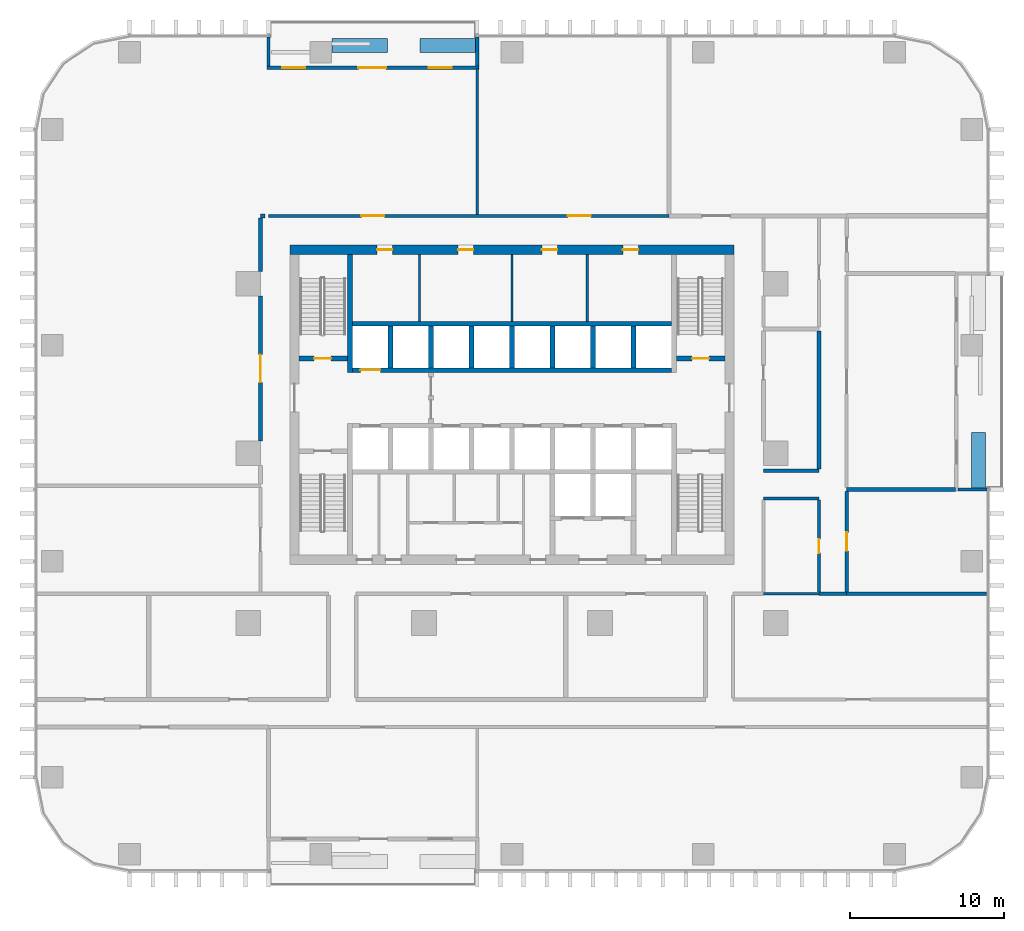
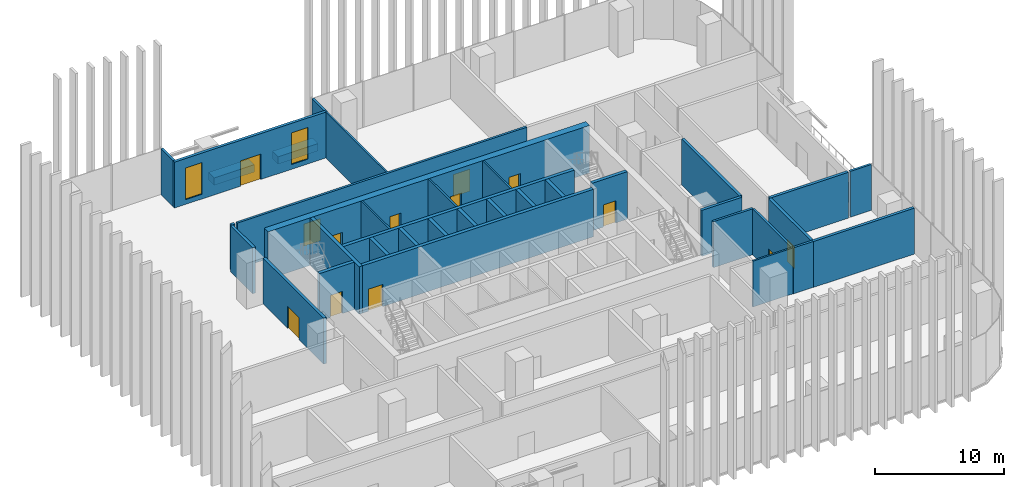
# One storey, part 9 of 16: 37 walls, 13 doors, 2 windows, 15 openings.
"""IFC4 building model written with IfcOpenShell, lengths in metres."""

from ifc_helpers import new_model, si_unit, direction, frame, frame_2d, origin, place, context, subcontext, project, spatial, rectangle, extrude, material, layer, layer_set, type_object, element, fill, save


model = new_model("IFC4")

# Units and contexts
model_context = context("Model", 3, precision=1e-05, world=origin(), true_north=direction((0.0, 1.0)))
body_context = subcontext(model_context, "Body", "Model", "MODEL_VIEW")
ifc_project = project(units=[si_unit("LENGTHUNIT", "METRE"), si_unit("AREAUNIT", "SQUARE_METRE"), si_unit("VOLUMEUNIT", "CUBIC_METRE"), si_unit("PLANEANGLEUNIT", "RADIAN"), si_unit("MASSUNIT", "GRAM", prefix="KILO")], contexts=[model_context])

# Site, building, storey
site_placement = place(None, origin())
site = spatial("IfcSite", under=ifc_project, at=site_placement, CompositionType="ELEMENT")
building_placement = place(site_placement, origin())
building = spatial("IfcBuilding", under=site, at=building_placement, Name="Mopane Tessera Tower", CompositionType="ELEMENT")
storey_placement = place(building_placement, frame((0.0, 0.0, 59.800048828125)))
storey = spatial("IfcBuildingStorey", under=building, at=storey_placement, Name="L11", CompositionType="ELEMENT", Elevation=59.800048828125)

# Walls
ifc_material_1 = material(Name="Fire-rated gypsum board partition")
ifc_layer_1 = layer(ifc_material_1, 0.14990234375)
ifc_layer_set_1 = layer_set([ifc_layer_1], Name="Fire-rated gypsum board partition")
wall_type_1 = type_object("IfcWallType", Name="Core room partition 150 mm", PredefinedType="PARTITIONING", material=ifc_layer_set_1)
for number, where, z_axis, x_axis, name in (
    (1, (-6.0, 8.550048828125, 0.0), (0.0, 0.0, 1.0), (0.0, 1.0, 0.0), "L11 Room partition"),
    (2, (0.0, 8.550048828125, 0.0), (0.0, 0.0, 1.0), (0.0, 1.0, 0.0), "L11 Room partition"),
    (3, (4.875, 8.550048828125, 0.0), (0.0, 0.0, 1.0), (0.0, 1.0, 0.0), "L11 Room partition"),
):
    element("IfcWall", number, at=place(storey_placement, frame(where, z_axis=z_axis, x_axis=x_axis)), inside=storey, type_object=wall_type_1, Name=name, PredefinedType="PARTITIONING", context=body_context, shape_type="SweptSolid", body=[
        extrude(rectangle(XDim=4.349853515625, YDim=0.14990234375, at=frame_2d((2.1748046875, 0.0))), origin(), (0.0, 0.0, 1.0), 4.5),
    ])

# Wall, openings, doors
ifc_material_2 = material(Name="Concrete C70/85", Category="concrete")
ifc_layer_2 = layer(ifc_material_2, 0.60009765625)
ifc_layer_set_2 = layer_set([ifc_layer_2], Name="Concrete C70/85")
wall_type_2 = type_object("IfcWallType", Name="Core shear wall 600 mm", PredefinedType="SHEAR", material=ifc_layer_set_2)
wall_1_placement = place(storey_placement, frame((-14.39990234375, 13.199951171875, 0.0), z_axis=(0.0, 0.0, 1.0), x_axis=(1.0, 0.0, 0.0)))
wall_1 = element("IfcWall", 4, at=wall_1_placement, inside=storey, type_object=wall_type_2, Name="L11 Core wall north", PredefinedType="SHEAR", context=body_context, shape_type="SweptSolid", body=[
    extrude(rectangle(XDim=28.7998046875, YDim=0.60009765625, at=frame_2d((14.39990234375, 0.0))), origin(), (0.0, 0.0, 1.0), 4.5),
])
opening_1_placement = place(wall_1_placement, frame((5.64990234375, 0.0, 0.0)))
opening_1 = element("IfcOpeningElement", 5, at=opening_1_placement, cuts=wall_1, Name="Opening RD1", PredefinedType="OPENING", context=body_context, shape_type="SweptSolid", body=[
    extrude(rectangle(XDim=1.0, YDim=2.10009765625, at=frame_2d((0.5, 1.050048828125))), frame((0.0, 0.31201171875, 0.0), z_axis=(0.0, -1.0, 0.0), x_axis=(1.0, 0.0, 0.0)), (0.0, 0.0, 1.0), 0.6240234375),
])
opening_2_placement = place(wall_1_placement, frame((10.89990234375, 0.0, 0.0)))
opening_2 = element("IfcOpeningElement", 6, at=opening_2_placement, cuts=wall_1, Name="Opening RD1", PredefinedType="OPENING", context=body_context, shape_type="SweptSolid", body=[
    extrude(rectangle(XDim=1.0, YDim=2.10009765625, at=frame_2d((0.5, 1.050048828125))), frame((0.0, 0.31201171875, 0.0), z_axis=(0.0, -1.0, 0.0), x_axis=(1.0, 0.0, 0.0)), (0.0, 0.0, 1.0), 0.6240234375),
])
opening_3_placement = place(wall_1_placement, frame((16.33740234375, 0.0, 0.0)))
opening_3 = element("IfcOpeningElement", 7, at=opening_3_placement, cuts=wall_1, Name="Opening RD1", PredefinedType="OPENING", context=body_context, shape_type="SweptSolid", body=[
    extrude(rectangle(XDim=1.0, YDim=2.10009765625, at=frame_2d((0.5, 1.050048828125))), frame((0.0, 0.31201171875, 0.0), z_axis=(0.0, -1.0, 0.0), x_axis=(1.0, 0.0, 0.0)), (0.0, 0.0, 1.0), 0.6240234375),
])
opening_4_placement = place(wall_1_placement, frame((21.58740234375, 0.0, 0.0)))
opening_4 = element("IfcOpeningElement", 8, at=opening_4_placement, cuts=wall_1, Name="Opening RD1", PredefinedType="OPENING", context=body_context, shape_type="SweptSolid", body=[
    extrude(rectangle(XDim=1.0, YDim=2.10009765625, at=frame_2d((0.5, 1.050048828125))), frame((0.0, 0.31201171875, 0.0), z_axis=(0.0, -1.0, 0.0), x_axis=(1.0, 0.0, 0.0)), (0.0, 0.0, 1.0), 0.6240234375),
])
ifc_material_3 = material(Name="Timber door", Category="wood")
door_type_1 = type_object("IfcDoorType", Name="Core room door 1000 x 2100", OperationType="SINGLE_SWING_LEFT", PredefinedType="DOOR", material=ifc_material_3)
door_1_placement = place(opening_1_placement, origin())
door_1 = element("IfcDoor", 9, at=door_1_placement, inside=storey, type_object=door_type_1, Name="L11 Room door", OperationType="SINGLE_SWING_LEFT", OverallHeight=2.10009765625, OverallWidth=1.0, PredefinedType="DOOR", context=body_context, shape_type="SweptSolid", body=[
    extrude(rectangle(XDim=1.0, YDim=2.10009765625, at=frame_2d((0.5, 1.050048828125))), frame((0.0, 0.02490234375, 0.0), z_axis=(0.0, -1.0, 0.0), x_axis=(1.0, 0.0, 0.0)), (0.0, 0.0, 1.0), 0.050048828125),
])
fill(opening_1, door_1)
door_2_placement = place(opening_2_placement, origin())
door_2 = element("IfcDoor", 10, at=door_2_placement, inside=storey, type_object=door_type_1, Name="L11 Room door", OperationType="SINGLE_SWING_LEFT", OverallHeight=2.10009765625, OverallWidth=1.0, PredefinedType="DOOR", context=body_context, shape_type="SweptSolid", body=[
    extrude(rectangle(XDim=1.0, YDim=2.10009765625, at=frame_2d((0.5, 1.050048828125))), frame((0.0, 0.02490234375, 0.0), z_axis=(0.0, -1.0, 0.0), x_axis=(1.0, 0.0, 0.0)), (0.0, 0.0, 1.0), 0.050048828125),
])
fill(opening_2, door_2)
door_3_placement = place(opening_3_placement, origin())
door_3 = element("IfcDoor", 11, at=door_3_placement, inside=storey, type_object=door_type_1, Name="L11 Room door", OperationType="SINGLE_SWING_LEFT", OverallHeight=2.10009765625, OverallWidth=1.0, PredefinedType="DOOR", context=body_context, shape_type="SweptSolid", body=[
    extrude(rectangle(XDim=1.0, YDim=2.10009765625, at=frame_2d((0.5, 1.050048828125))), frame((0.0, 0.02490234375, 0.0), z_axis=(0.0, -1.0, 0.0), x_axis=(1.0, 0.0, 0.0)), (0.0, 0.0, 1.0), 0.050048828125),
])
fill(opening_3, door_3)
door_4_placement = place(opening_4_placement, origin())
door_4 = element("IfcDoor", 12, at=door_4_placement, inside=storey, type_object=door_type_1, Name="L11 Room door", OperationType="SINGLE_SWING_LEFT", OverallHeight=2.10009765625, OverallWidth=1.0, PredefinedType="DOOR", context=body_context, shape_type="SweptSolid", body=[
    extrude(rectangle(XDim=1.0, YDim=2.10009765625, at=frame_2d((0.5, 1.050048828125))), frame((0.0, 0.02490234375, 0.0), z_axis=(0.0, -1.0, 0.0), x_axis=(1.0, 0.0, 0.0)), (0.0, 0.0, 1.0), 0.050048828125),
])
fill(opening_4, door_4)

# Walls
ifc_material_4 = material(Name="Concrete C60/75", Category="concrete")
ifc_layer_3 = layer(ifc_material_4, 0.300048828125)
ifc_layer_set_3 = layer_set([ifc_layer_3], Name="Concrete C60/75")
wall_type_3 = type_object("IfcWallType", Name="Core spine wall 300 mm", PredefinedType="SHEAR", material=ifc_layer_set_3)
wall_2_placement = place(storey_placement, frame((-10.5, 5.25, 0.0), z_axis=(0.0, 0.0, 1.0), x_axis=(0.0, 1.0, 0.0)))
element("IfcWall", 13, at=wall_2_placement, inside=storey, type_object=wall_type_3, Name="L11 Core spine wall", PredefinedType="SHEAR", context=body_context, shape_type="SweptSolid", body=[
    extrude(rectangle(XDim=7.64990234375, YDim=0.300048828125, at=frame_2d((3.824951171875, 0.0))), origin(), (0.0, 0.0, 1.0), 4.5),
])
ifc_material_5 = material(Name="Gypsum board on steel studs, two layers each face, mineral wool infill", Category="steel")
ifc_layer_4 = layer(ifc_material_5, 0.199951171875)
ifc_layer_set_4 = layer_set([ifc_layer_4], Name="Gypsum board on steel studs, two layers each face, mineral wool infill")
wall_type_4 = type_object("IfcWallType", Name="Gypsum board corridor wall 200, rated EI 60", PredefinedType="PARTITIONING", material=ifc_layer_set_4)
wall_3_placement = place(storey_placement, frame((19.89990234375, -9.10009765625, 0.0), z_axis=(0.0, 0.0, 1.0), x_axis=(1.0, 0.0, 0.0)))
element("IfcWall", 14, at=wall_3_placement, inside=storey, type_object=wall_type_4, Name="Partition L11:007", PredefinedType="PARTITIONING", context=body_context, shape_type="SweptSolid", body=[
    extrude(rectangle(XDim=1.800048828125, YDim=0.199951171875, at=frame_2d((0.89990234375, 0.0))), origin(), (0.0, 0.0, 1.0), 4.349853515625),
])
wall_4_placement = place(storey_placement, frame((16.300048828125, -2.925048828125, 0.0), z_axis=(0.0, 0.0, 1.0), x_axis=(1.0, 0.0, 0.0)))
element("IfcWall", 15, at=wall_4_placement, inside=storey, type_object=wall_type_4, Name="Partition L11:011", PredefinedType="PARTITIONING", context=body_context, shape_type="SweptSolid", body=[
    extrude(rectangle(XDim=3.599853515625, YDim=0.199951171875, at=frame_2d((1.7998046875, 0.0))), origin(), (0.0, 0.0, 1.0), 4.349853515625),
])

# Wall, openings, doors
wall_5_placement = place(storey_placement, frame((-15.780029296875, 15.39990234375, 0.0), z_axis=(0.0, 0.0, 1.0), x_axis=(1.0, 0.0, 0.0)))
wall_5 = element("IfcWall", 16, at=wall_5_placement, inside=storey, type_object=wall_type_4, Name="Partition L11:017", PredefinedType="PARTITIONING", context=body_context, shape_type="SweptSolid", body=[
    extrude(rectangle(XDim=25.965087890625, YDim=0.199951171875, at=frame_2d((12.982421875, 0.0))), origin(), (0.0, 0.0, 1.0), 4.349853515625),
])
opening_5_placement = place(wall_5_placement, frame((19.39501953125, 0.0, 0.0)))
opening_5 = element("IfcOpeningElement", 17, at=opening_5_placement, cuts=wall_5, Name="Opening L11-13", PredefinedType="OPENING", context=body_context, shape_type="SweptSolid", body=[
    extrude(rectangle(XDim=1.5, YDim=2.10009765625, at=frame_2d((0.75, 1.050048828125))), frame((0.0, 0.112060546875, 0.0), z_axis=(0.0, -1.0, 0.0), x_axis=(1.0, 0.0, 0.0)), (0.0, 0.0, 1.0), 0.223876953125),
])
opening_6_placement = place(wall_5_placement, frame((6.012451171875, 0.0, 0.0)))
opening_6 = element("IfcOpeningElement", 18, at=opening_6_placement, cuts=wall_5, Name="Opening L11-17", PredefinedType="OPENING", context=body_context, shape_type="SweptSolid", body=[
    extrude(rectangle(XDim=1.5, YDim=2.10009765625, at=frame_2d((0.75, 1.050048828125))), frame((0.0, 0.112060546875, 0.0), z_axis=(0.0, -1.0, 0.0), x_axis=(1.0, 0.0, 0.0)), (0.0, 0.0, 1.0), 0.223876953125),
])
ifc_material_6 = material(Name="Timber veneered steel-framed fire door", Category="steel")
door_type_2 = type_object("IfcDoorType", Name="Fire door pair FD60 1500 x 2100", OperationType="DOUBLE_DOOR_SINGLE_SWING", PredefinedType="DOOR", material=ifc_material_6)
door_5_placement = place(opening_5_placement, origin())
door_5 = element("IfcDoor", 19, at=door_5_placement, inside=storey, type_object=door_type_2, Name="Door L11-13", ObjectType="D17A", OperationType="DOUBLE_DOOR_SINGLE_SWING", OverallHeight=2.10009765625, OverallWidth=1.5, PredefinedType="DOOR", context=body_context, shape_type="SweptSolid", body=[
    extrude(rectangle(XDim=1.5, YDim=2.10009765625, at=frame_2d((0.75, 1.050048828125))), frame((0.0, 0.02490234375, 0.0), z_axis=(0.0, -1.0, 0.0), x_axis=(1.0, 0.0, 0.0)), (0.0, 0.0, 1.0), 0.050048828125),
])
fill(opening_5, door_5)
door_6_placement = place(opening_6_placement, origin())
door_6 = element("IfcDoor", 20, at=door_6_placement, inside=storey, type_object=door_type_2, Name="Door L11-17", ObjectType="D17A", OperationType="DOUBLE_DOOR_SINGLE_SWING", OverallHeight=2.10009765625, OverallWidth=1.5, PredefinedType="DOOR", context=body_context, shape_type="SweptSolid", body=[
    extrude(rectangle(XDim=1.5, YDim=2.10009765625, at=frame_2d((0.75, 1.050048828125))), frame((0.0, 0.02490234375, 0.0), z_axis=(0.0, -1.0, 0.0), x_axis=(1.0, 0.0, 0.0)), (0.0, 0.0, 1.0), 0.050048828125),
])
fill(opening_6, door_6)

# Wall, opening, door
wall_6_placement = place(storey_placement, frame((19.89990234375, -9.0, 0.0), z_axis=(0.0, 0.0, 1.0), x_axis=(0.0, 1.0, 0.0)))
wall_6 = element("IfcWall", 21, at=wall_6_placement, inside=storey, type_object=wall_type_4, Name="Partition L11:039", PredefinedType="PARTITIONING", context=body_context, shape_type="SweptSolid", body=[
    extrude(rectangle(XDim=5.97509765625, YDim=0.199951171875, at=frame_2d((2.987548828125, 0.0))), origin(), (0.0, 0.0, 1.0), 4.349853515625),
])
opening_7_placement = place(wall_6_placement, frame((2.53759765625, 0.0, 0.0)))
opening_7 = element("IfcOpeningElement", 22, at=opening_7_placement, cuts=wall_6, Name="Opening L11-14", PredefinedType="OPENING", context=body_context, shape_type="SweptSolid", body=[
    extrude(rectangle(XDim=0.89990234375, YDim=2.10009765625, at=frame_2d((0.449951171875, 1.050048828125))), frame((0.0, 0.112060546875, 0.0), z_axis=(0.0, -1.0, 0.0), x_axis=(1.0, 0.0, 0.0)), (0.0, 0.0, 1.0), 0.223876953125),
])
ifc_material_7 = material(Name="Timber veneered steel-framed fire door", Category="steel")
door_type_3 = type_object("IfcDoorType", Name="Fire door FD60 900 x 2100", OperationType="SINGLE_SWING_LEFT", PredefinedType="DOOR", material=ifc_material_7)
door_7_placement = place(opening_7_placement, origin())
door_7 = element("IfcDoor", 23, at=door_7_placement, inside=storey, type_object=door_type_3, Name="Door L11-14", ObjectType="D10A", OperationType="SINGLE_SWING_LEFT", OverallHeight=2.10009765625, OverallWidth=0.89990234375, PredefinedType="DOOR", context=body_context, shape_type="SweptSolid", body=[
    extrude(rectangle(XDim=0.89990234375, YDim=2.10009765625, at=frame_2d((0.449951171875, 1.050048828125))), frame((0.0, 0.02490234375, 0.0), z_axis=(0.0, -1.0, 0.0), x_axis=(1.0, 0.0, 0.0)), (0.0, 0.0, 1.0), 0.050048828125),
])
fill(opening_7, door_7)

# Walls
ifc_material_8 = material(Name="Gypsum board on steel studs, mineral wool infill", Category="steel")
ifc_layer_5 = layer(ifc_material_8, 0.14990234375)
ifc_layer_set_5 = layer_set([ifc_layer_5], Name="Gypsum board on steel studs, mineral wool infill")
wall_type_5 = type_object("IfcWallType", Name="Gypsum board partition 150, rated EI 60", PredefinedType="PARTITIONING", material=ifc_layer_set_5)
wall_7_placement = place(storey_placement, frame((16.300048828125, -9.10009765625, 0.0), z_axis=(0.0, 0.0, 1.0), x_axis=(1.0, 0.0, 0.0)))
element("IfcWall", 24, at=wall_7_placement, inside=storey, type_object=wall_type_5, Name="Partition L11:005", PredefinedType="PARTITIONING", context=body_context, shape_type="SweptSolid", body=[
    extrude(rectangle(XDim=3.599853515625, YDim=0.14990234375, at=frame_2d((1.7998046875, 0.0))), origin(), (0.0, 0.0, 1.0), 4.349853515625),
])
wall_8_placement = place(storey_placement, frame((-2.2548828125, 15.5, 0.0), z_axis=(0.0, 0.0, 1.0), x_axis=(0.0, 1.0, 0.0)))
element("IfcWall", 25, at=wall_8_placement, inside=storey, type_object=wall_type_5, Name="Partition L11:030", PredefinedType="PARTITIONING", context=body_context, shape_type="SweptSolid", body=[
    extrude(rectangle(XDim=9.449951171875, YDim=0.14990234375, at=frame_2d((4.72509765625, 0.0))), origin(), (0.0, 0.0, 1.0), 4.349853515625),
])

# Wall, opening, door
ifc_material_9 = material(Name="Concrete C50/60", Category="concrete")
ifc_layer_6 = layer(ifc_material_9, 0.300048828125)
ifc_layer_set_6 = layer_set([ifc_layer_6], Name="Concrete C50/60")
wall_type_6 = type_object("IfcWallType", Name="Lift and stair shaft wall 300 mm", PredefinedType="SOLIDWALL", material=ifc_layer_set_6)
wall_9_placement = place(storey_placement, frame((-13.800048828125, 6.14990234375, 0.0), z_axis=(0.0, 0.0, 1.0), x_axis=(1.0, 0.0, 0.0)))
wall_9 = element("IfcWall", 26, at=wall_9_placement, inside=storey, type_object=wall_type_6, Name="L11 Stair enclosure wall", PredefinedType="SOLIDWALL", context=body_context, shape_type="SweptSolid", body=[
    extrude(rectangle(XDim=3.150146484375, YDim=0.300048828125, at=frame_2d((1.5751953125, 0.0))), origin(), (0.0, 0.0, 1.0), 4.5),
])
opening_8_placement = place(wall_9_placement, frame((0.97509765625, 0.0, 0.0)))
opening_8 = element("IfcOpeningElement", 27, at=opening_8_placement, cuts=wall_9, Name="Opening SD1", PredefinedType="OPENING", context=body_context, shape_type="SweptSolid", body=[
    extrude(rectangle(XDim=1.10009765625, YDim=2.10009765625, at=frame_2d((0.550048828125, 1.050048828125))), frame((0.0, 0.162109375, 0.0), z_axis=(0.0, -1.0, 0.0), x_axis=(1.0, 0.0, 0.0)), (0.0, 0.0, 1.0), 0.323974609375),
])
ifc_material_10 = material(Name="Steel fire door", Category="steel")
door_type_4 = type_object("IfcDoorType", Name="Stair fire door 1100 x 2100", OperationType="SINGLE_SWING_LEFT", PredefinedType="DOOR", material=ifc_material_10)
door_8_placement = place(opening_8_placement, origin())
door_8 = element("IfcDoor", 28, at=door_8_placement, inside=storey, type_object=door_type_4, Name="L11 Stair door ST2", OperationType="SINGLE_SWING_LEFT", OverallHeight=2.10009765625, OverallWidth=1.10009765625, PredefinedType="DOOR", context=body_context, shape_type="SweptSolid", body=[
    extrude(rectangle(XDim=1.10009765625, YDim=2.10009765625, at=frame_2d((0.550048828125, 1.050048828125))), frame((0.0, 0.02490234375, 0.0), z_axis=(0.0, -1.0, 0.0), x_axis=(1.0, 0.0, 0.0)), (0.0, 0.0, 1.0), 0.050048828125),
])
fill(opening_8, door_8)

wall_10_placement = place(storey_placement, frame((10.64990234375, 6.14990234375, 0.0), z_axis=(0.0, 0.0, 1.0), x_axis=(1.0, 0.0, 0.0)))
wall_10 = element("IfcWall", 29, at=wall_10_placement, inside=storey, type_object=wall_type_6, Name="L11 Stair enclosure wall", PredefinedType="SOLIDWALL", context=body_context, shape_type="SweptSolid", body=[
    extrude(rectangle(XDim=3.150146484375, YDim=0.300048828125, at=frame_2d((1.5751953125, 0.0))), origin(), (0.0, 0.0, 1.0), 4.5),
])
opening_9_placement = place(wall_10_placement, frame((1.02490234375, 0.0, 0.0)))
opening_9 = element("IfcOpeningElement", 30, at=opening_9_placement, cuts=wall_10, Name="Opening SD1", PredefinedType="OPENING", context=body_context, shape_type="SweptSolid", body=[
    extrude(rectangle(XDim=1.10009765625, YDim=2.10009765625, at=frame_2d((0.550048828125, 1.050048828125))), frame((0.0, 0.162109375, 0.0), z_axis=(0.0, -1.0, 0.0), x_axis=(1.0, 0.0, 0.0)), (0.0, 0.0, 1.0), 0.323974609375),
])
door_9_placement = place(opening_9_placement, origin())
door_9 = element("IfcDoor", 31, at=door_9_placement, inside=storey, type_object=door_type_4, Name="L11 Stair door ST4", OperationType="SINGLE_SWING_RIGHT", OverallHeight=2.10009765625, OverallWidth=1.10009765625, PredefinedType="DOOR", context=body_context, shape_type="SweptSolid", body=[
    extrude(rectangle(XDim=1.10009765625, YDim=2.10009765625, at=frame_2d((0.550048828125, 1.050048828125))), frame((0.0, 0.02490234375, 0.0), z_axis=(0.0, -1.0, 0.0), x_axis=(1.0, 0.0, 0.0)), (0.0, 0.0, 1.0), 0.050048828125),
])
fill(opening_9, door_9)

wall_11_placement = place(storey_placement, frame((-10.35009765625, 5.39990234375, 0.0), z_axis=(0.0, 0.0, 1.0), x_axis=(1.0, 0.0, 0.0)))
wall_11 = element("IfcWall", 32, at=wall_11_placement, inside=storey, type_object=wall_type_6, Name="L11 Lift shaft front wall", PredefinedType="SOLIDWALL", context=body_context, shape_type="SweptSolid", body=[
    extrude(rectangle(XDim=20.7001953125, YDim=0.300048828125, at=frame_2d((10.35009765625, 0.0))), origin(), (0.0, 0.0, 1.0), 4.5),
])
opening_10_placement = place(wall_11_placement, frame((0.512451171875, 0.0, 0.0)))
opening_10 = element("IfcOpeningElement", 33, at=opening_10_placement, cuts=wall_11, Name="Opening LD2", PredefinedType="OPENING", context=body_context, shape_type="SweptSolid", body=[
    extrude(rectangle(XDim=1.300048828125, YDim=2.10009765625, at=frame_2d((0.64990234375, 1.050048828125))), frame((0.0, 0.162109375, 0.0), z_axis=(0.0, -1.0, 0.0), x_axis=(1.0, 0.0, 0.0)), (0.0, 0.0, 1.0), 0.323974609375),
])
ifc_material_11 = material(Name="Stainless steel sliding door", Category="steel")
door_type_5 = type_object("IfcDoorType", Name="Fire-fighting lift landing door 1300 x 2100", OperationType="DOUBLE_DOOR_SLIDING", PredefinedType="DOOR", material=ifc_material_11)
door_10_placement = place(opening_10_placement, origin())
door_10 = element("IfcDoor", 34, at=door_10_placement, inside=storey, type_object=door_type_5, Name="L11 Lift landing door FF2", OperationType="DOUBLE_DOOR_SLIDING", OverallHeight=2.10009765625, OverallWidth=1.300048828125, PredefinedType="DOOR", context=body_context, shape_type="SweptSolid", body=[
    extrude(rectangle(XDim=1.300048828125, YDim=2.10009765625, at=frame_2d((0.64990234375, 1.050048828125))), frame((0.0, 0.02490234375, 0.0), z_axis=(0.0, -1.0, 0.0), x_axis=(1.0, 0.0, 0.0)), (0.0, 0.0, 1.0), 0.050048828125),
])
fill(opening_10, door_10)

# Walls
wall_12_placement = place(storey_placement, frame((-10.35009765625, 8.39990234375, 0.0), z_axis=(0.0, 0.0, 1.0), x_axis=(1.0, 0.0, 0.0)))
element("IfcWall", 35, at=wall_12_placement, inside=storey, type_object=wall_type_6, Name="L11 Lift shaft rear wall", PredefinedType="SOLIDWALL", context=body_context, shape_type="SweptSolid", body=[
    extrude(rectangle(XDim=20.7001953125, YDim=0.300048828125, at=frame_2d((10.35009765625, 0.0))), origin(), (0.0, 0.0, 1.0), 4.5),
])
for number, where, z_axis, x_axis, name in (
    (36, (-7.875, 5.550048828125, 0.0), (0.0, 0.0, 1.0), (0.0, 1.0, 0.0), "L11 Lift shaft wall"),
    (37, (-5.25, 5.550048828125, 0.0), (0.0, 0.0, 1.0), (0.0, 1.0, 0.0), "L11 Lift shaft wall"),
    (38, (-2.625, 5.550048828125, 0.0), (0.0, 0.0, 1.0), (0.0, 1.0, 0.0), "L11 Lift shaft wall"),
    (39, (0.0, 5.550048828125, 0.0), (0.0, 0.0, 1.0), (0.0, 1.0, 0.0), "L11 Lift shaft wall"),
    (40, (2.625, 5.550048828125, 0.0), (0.0, 0.0, 1.0), (0.0, 1.0, 0.0), "L11 Lift shaft wall"),
    (41, (5.25, 5.550048828125, 0.0), (0.0, 0.0, 1.0), (0.0, 1.0, 0.0), "L11 Lift shaft wall"),
    (42, (7.875, 5.550048828125, 0.0), (0.0, 0.0, 1.0), (0.0, 1.0, 0.0), "L11 Lift shaft wall"),
):
    element("IfcWall", number, at=place(storey_placement, frame(where, z_axis=z_axis, x_axis=x_axis)), inside=storey, type_object=wall_type_6, Name=name, PredefinedType="SOLIDWALL", context=body_context, shape_type="SweptSolid", body=[
        extrude(rectangle(XDim=2.699951171875, YDim=0.300048828125, at=frame_2d((1.35009765625, 0.0))), origin(), (0.0, 0.0, 1.0), 4.5),
    ])
ifc_material_12 = material(Name="Reinforced concrete C32/40 with waterproofing", Category="concrete")
ifc_layer_7 = layer(ifc_material_12, 0.89990234375)
ifc_layer_set_7 = layer_set([ifc_layer_7], Name="Reinforced concrete C32/40 with waterproofing")
wall_type_7 = type_object("IfcWallType", Name="Planter trough 3600 x 900", PredefinedType="STANDARD", material=ifc_layer_set_7)
for number, where, z_axis, x_axis, name in (
    (43, (30.25, -2.2333984375, 0.0), (0.0, 0.0, 1.0), (0.0, 1.0, 0.0), "e:nw:L11:N1:pl0"),
    (44, (-2.3544921875, 26.449951171875, 0.0), (0.0, 0.0, 1.0), (-1.0, 0.0, 0.0), "e:nw:L11:N2:pl0"),
    (45, (-8.079833984375, 26.449951171875, 0.0), (0.0, 0.0, 1.0), (-1.0, 0.0, 0.0), "e:nw:L11:N2:pl1"),
):
    element("IfcWall", number, at=place(storey_placement, frame(where, z_axis=z_axis, x_axis=x_axis)), inside=storey, type_object=wall_type_7, Name=name, PredefinedType="STANDARD", context=body_context, shape_type="SweptSolid", body=[
        extrude(rectangle(XDim=3.60009765625, YDim=0.89990234375, at=frame_2d((1.800048828125, 0.0))), origin(), (0.0, 0.0, 1.0), 0.699951171875),
    ])
ifc_material_13 = material(Name="Plastered concrete blockwork C20/25", Category="masonry")
ifc_layer_8 = layer(ifc_material_13, 0.25)
ifc_layer_set_8 = layer_set([ifc_layer_8], Name="Plastered concrete blockwork C20/25")
wall_type_8 = type_object("IfcWallType", Name="Plastered blockwork wall 250, rated EI 120", PredefinedType="PARTITIONING", material=ifc_layer_set_8)
wall_13_placement = place(storey_placement, frame((21.699951171875, -9.10009765625, 0.0), z_axis=(0.0, 0.0, 1.0), x_axis=(1.0, 0.0, 0.0)))
element("IfcWall", 46, at=wall_13_placement, inside=storey, type_object=wall_type_8, Name="Partition L11:010", PredefinedType="PARTITIONING", context=body_context, shape_type="SweptSolid", body=[
    extrude(rectangle(XDim=9.050048828125, YDim=0.25, at=frame_2d((4.52490234375, 0.0))), origin(), (0.0, 0.0, 1.0), 4.349853515625),
])
wall_14_placement = place(storey_placement, frame((21.699951171875, -2.3349609375, 0.0), z_axis=(0.0, 0.0, 1.0), x_axis=(1.0, 0.0, 0.0)))
element("IfcWall", 47, at=wall_14_placement, inside=storey, type_object=wall_type_8, Name="Partition L11:012", PredefinedType="PARTITIONING", context=body_context, shape_type="SweptSolid", body=[
    extrude(rectangle(XDim=7.050048828125, YDim=0.25, at=frame_2d((3.52490234375, 0.0))), origin(), (0.0, 0.0, 1.0), 4.349853515625),
])
wall_15_placement = place(storey_placement, frame((16.300048828125, -1.125, 0.0), z_axis=(0.0, 0.0, 1.0), x_axis=(1.0, 0.0, 0.0)))
element("IfcWall", 48, at=wall_15_placement, inside=storey, type_object=wall_type_8, Name="Partition L11:014", PredefinedType="PARTITIONING", context=body_context, shape_type="SweptSolid", body=[
    extrude(rectangle(XDim=3.599853515625, YDim=0.25, at=frame_2d((1.7998046875, 0.0))), origin(), (0.0, 0.0, 1.0), 4.349853515625),
])
wall_16_placement = place(storey_placement, frame((-16.300048828125, 15.39990234375, 0.0), z_axis=(0.0, 0.0, 1.0), x_axis=(1.0, 0.0, 0.0)))
element("IfcWall", 49, at=wall_16_placement, inside=storey, type_object=wall_type_8, Name="Partition L11:018", PredefinedType="PARTITIONING", context=body_context, shape_type="SweptSolid", body=[
    extrude(rectangle(XDim=0.300048828125, YDim=0.25, at=frame_2d((0.14990234375, 0.0))), origin(), (0.0, 0.0, 1.0), 4.349853515625),
])

# Wall, opening, door
wall_17_placement = place(storey_placement, frame((-16.300048828125, 0.800048828125, 0.0), z_axis=(0.0, 0.0, 1.0), x_axis=(0.0, 1.0, 0.0)))
wall_17 = element("IfcWall", 50, at=wall_17_placement, inside=storey, type_object=wall_type_8, Name="Partition L11:024", PredefinedType="PARTITIONING", context=body_context, shape_type="SweptSolid", body=[
    extrude(rectangle(XDim=9.39990234375, YDim=0.25, at=frame_2d((4.699951171875, 0.0))), origin(), (0.0, 0.0, 1.0), 4.349853515625),
])
opening_11_placement = place(wall_17_placement, frame((3.800048828125, 0.0, 0.0)))
opening_11 = element("IfcOpeningElement", 51, at=opening_11_placement, cuts=wall_17, Name="Opening L11-07", PredefinedType="OPENING", context=body_context, shape_type="SweptSolid", body=[
    extrude(rectangle(XDim=1.800048828125, YDim=2.10009765625, at=frame_2d((0.89990234375, 1.050048828125))), frame((0.0, 0.136962890625, 0.0), z_axis=(0.0, -1.0, 0.0), x_axis=(1.0, 0.0, 0.0)), (0.0, 0.0, 1.0), 0.27392578125),
])
ifc_material_14 = material(Name="Timber veneered steel-framed fire door", Category="steel")
door_type_6 = type_object("IfcDoorType", Name="Fire door pair FD120 1800 x 2100", OperationType="DOUBLE_DOOR_SINGLE_SWING", PredefinedType="DOOR", material=ifc_material_14)
door_11_placement = place(opening_11_placement, origin())
door_11 = element("IfcDoor", 52, at=door_11_placement, inside=storey, type_object=door_type_6, Name="Door L11-07", ObjectType="D20B", OperationType="DOUBLE_DOOR_SINGLE_SWING", OverallHeight=2.10009765625, OverallWidth=1.800048828125, PredefinedType="DOOR", context=body_context, shape_type="SweptSolid", body=[
    extrude(rectangle(XDim=1.800048828125, YDim=2.10009765625, at=frame_2d((0.89990234375, 1.050048828125))), frame((0.0, 0.02490234375, 0.0), z_axis=(0.0, -1.0, 0.0), x_axis=(1.0, 0.0, 0.0)), (0.0, 0.0, 1.0), 0.050048828125),
])
fill(opening_11, door_11)

# Walls
wall_18_placement = place(storey_placement, frame((-16.300048828125, 11.800048828125, 0.0), z_axis=(0.0, 0.0, 1.0), x_axis=(0.0, 1.0, 0.0)))
element("IfcWall", 53, at=wall_18_placement, inside=storey, type_object=wall_type_8, Name="Partition L11:025", PredefinedType="PARTITIONING", context=body_context, shape_type="SweptSolid", body=[
    extrude(rectangle(XDim=3.474853515625, YDim=0.25, at=frame_2d((1.7373046875, 0.0))), origin(), (0.0, 0.0, 1.0), 4.349853515625),
])
wall_19_placement = place(storey_placement, frame((19.89990234375, -1.0, 0.0), z_axis=(0.0, 0.0, 1.0), x_axis=(0.0, 1.0, 0.0)))
element("IfcWall", 54, at=wall_19_placement, inside=storey, type_object=wall_type_8, Name="Partition L11:041", PredefinedType="PARTITIONING", context=body_context, shape_type="SweptSolid", body=[
    extrude(rectangle(XDim=8.929931640625, YDim=0.25, at=frame_2d((4.46484375, 0.0))), origin(), (0.0, 0.0, 1.0), 4.349853515625),
])

# Wall, opening, door
wall_20_placement = place(storey_placement, frame((21.699951171875, -8.97509765625, 0.0), z_axis=(0.0, 0.0, 1.0), x_axis=(0.0, 1.0, 0.0)))
wall_20 = element("IfcWall", 55, at=wall_20_placement, inside=storey, type_object=wall_type_8, Name="Partition L11:043", PredefinedType="PARTITIONING", context=body_context, shape_type="SweptSolid", body=[
    extrude(rectangle(XDim=6.51513671875, YDim=0.25, at=frame_2d((3.257568359375, 0.0))), origin(), (0.0, 0.0, 1.0), 4.349853515625),
])
opening_12_placement = place(wall_20_placement, frame((2.657470703125, 0.0, 0.0)))
opening_12 = element("IfcOpeningElement", 56, at=opening_12_placement, cuts=wall_20, Name="Opening L11-08", PredefinedType="OPENING", context=body_context, shape_type="SweptSolid", body=[
    extrude(rectangle(XDim=1.199951171875, YDim=2.10009765625, at=frame_2d((0.60009765625, 1.050048828125))), frame((0.0, 0.136962890625, 0.0), z_axis=(0.0, -1.0, 0.0), x_axis=(1.0, 0.0, 0.0)), (0.0, 0.0, 1.0), 0.27392578125),
])
ifc_material_15 = material(Name="Timber veneered steel-framed fire door", Category="steel")
door_type_7 = type_object("IfcDoorType", Name="Fire door FD120 1200 x 2100", OperationType="SINGLE_SWING_LEFT", PredefinedType="DOOR", material=ifc_material_15)
door_12_placement = place(opening_12_placement, origin())
door_12 = element("IfcDoor", 57, at=door_12_placement, inside=storey, type_object=door_type_7, Name="Door L11-08", ObjectType="D15B", OperationType="SINGLE_SWING_LEFT", OverallHeight=2.10009765625, OverallWidth=1.199951171875, PredefinedType="DOOR", context=body_context, shape_type="SweptSolid", body=[
    extrude(rectangle(XDim=1.199951171875, YDim=2.10009765625, at=frame_2d((0.60009765625, 1.050048828125))), frame((0.0, 0.02490234375, 0.0), z_axis=(0.0, -1.0, 0.0), x_axis=(1.0, 0.0, 0.0)), (0.0, 0.0, 1.0), 0.050048828125),
])
fill(opening_12, door_12)

# Walls
ifc_material_16 = material(Name="Blockwork with glazed tile facing", Category="masonry")
ifc_layer_9 = layer(ifc_material_16, 0.199951171875)
ifc_layer_set_9 = layer_set([ifc_layer_9], Name="Blockwork with glazed tile facing")
wall_type_9 = type_object("IfcWallType", Name="Terrace cheek wall 200", PredefinedType="STANDARD", material=ifc_layer_set_9)
for number, where, z_axis, x_axis, name in (
    (58, (30.800048828125, -2.333251953125, 0.0), (0.0, 0.0, 1.0), (-1.0, 0.0, 0.0), "e:nw:L11:N1:cheeka"),
    (59, (-2.254638671875, 27.0, 0.0), (0.0, 0.0, 1.0), (0.0, -1.0, 0.0), "e:nw:L11:N2:cheeka"),
    (60, (-15.78173828125, 27.0, 0.0), (0.0, 0.0, 1.0), (0.0, -1.0, 0.0), "e:nw:L11:N2:cheekb"),
):
    element("IfcWall", number, at=place(storey_placement, frame(where, z_axis=z_axis, x_axis=x_axis)), inside=storey, type_object=wall_type_9, Name=name, PredefinedType="STANDARD", context=body_context, shape_type="SweptSolid", body=[
        extrude(rectangle(XDim=1.875, YDim=0.199951171875, at=frame_2d((0.9375, 0.0))), origin(), (0.0, 0.0, 1.0), 4.349853515625),
    ])

# Wall, openings, windows, door
ifc_material_17 = material(Name="Blockwork with ochre glazed tile facing", Category="masonry")
ifc_layer_10 = layer(ifc_material_17, 0.25)
ifc_layer_set_10 = layer_set([ifc_layer_10], Name="Blockwork with ochre glazed tile facing")
wall_type_10 = type_object("IfcWallType", Name="Tile-clad external wall 250, ochre", PredefinedType="STANDARD", material=ifc_layer_set_10)
wall_21_placement = place(storey_placement, frame((-2.154541015625, 25.0, 0.0), z_axis=(0.0, 0.0, 1.0), x_axis=(-1.0, 0.0, 0.0)))
wall_21 = element("IfcWall", 61, at=wall_21_placement, inside=storey, type_object=wall_type_10, Name="e:nw:L11:N2:back", PredefinedType="STANDARD", context=body_context, shape_type="SweptSolid", body=[
    extrude(rectangle(XDim=13.727294921875, YDim=0.25, at=frame_2d((6.86376953125, 0.0))), origin(), (0.0, 0.0, 1.0), 4.349853515625),
])
opening_13_placement = place(wall_21_placement, frame((1.75, 0.0, 0.449951171875)))
opening_13 = element("IfcOpeningElement", 62, at=opening_13_placement, cuts=wall_21, Name="Opening NW112A", PredefinedType="OPENING", context=body_context, shape_type="SweptSolid", body=[
    extrude(rectangle(XDim=1.5, YDim=3.0, at=frame_2d((0.75, 1.5))), frame((0.0, 0.136962890625, 0.0), z_axis=(0.0, -1.0, 0.0), x_axis=(1.0, 0.0, 0.0)), (0.0, 0.0, 1.0), 0.27392578125),
])
opening_14_placement = place(wall_21_placement, frame((6.0, 0.0, 0.0)))
opening_14 = element("IfcOpeningElement", 63, at=opening_14_placement, cuts=wall_21, Name="Opening ND112", PredefinedType="OPENING", context=body_context, shape_type="SweptSolid", body=[
    extrude(rectangle(XDim=1.800048828125, YDim=2.39990234375, at=frame_2d((0.89990234375, 1.199951171875))), frame((0.0, 0.136962890625, 0.0), z_axis=(0.0, -1.0, 0.0), x_axis=(1.0, 0.0, 0.0)), (0.0, 0.0, 1.0), 0.27392578125),
])
opening_15_placement = place(wall_21_placement, frame((11.25, 0.0, 0.449951171875)))
opening_15 = element("IfcOpeningElement", 64, at=opening_15_placement, cuts=wall_21, Name="Opening NW112B", PredefinedType="OPENING", context=body_context, shape_type="SweptSolid", body=[
    extrude(rectangle(XDim=1.5, YDim=3.0, at=frame_2d((0.75, 1.5))), frame((0.0, 0.136962890625, 0.0), z_axis=(0.0, -1.0, 0.0), x_axis=(1.0, 0.0, 0.0)), (0.0, 0.0, 1.0), 0.27392578125),
])
ifc_material_18 = material(Name="Clear laminated glass", Category="glass")
window_type = type_object("IfcWindowType", Name="Fixed window 1500 x 3000", PartitioningType="SINGLE_PANEL", PredefinedType="WINDOW", material=ifc_material_18)
window_1_placement = place(opening_13_placement, origin())
window_1 = element("IfcWindow", 65, at=window_1_placement, inside=storey, type_object=window_type, Name="e:nw:L11:N2:win0", OverallHeight=3.0, OverallWidth=1.5, PartitioningType="SINGLE_PANEL", PredefinedType="WINDOW", context=body_context, shape_type="SweptSolid", body=[
    extrude(rectangle(XDim=1.5, YDim=3.0, at=frame_2d((0.75, 1.5))), frame((0.0, 0.030029296875, 0.0), z_axis=(0.0, -1.0, 0.0), x_axis=(1.0, 0.0, 0.0)), (0.0, 0.0, 1.0), 0.06005859375),
])
fill(opening_13, window_1)
window_2_placement = place(opening_15_placement, origin())
window_2 = element("IfcWindow", 66, at=window_2_placement, inside=storey, type_object=window_type, Name="e:nw:L11:N2:win2", OverallHeight=3.0, OverallWidth=1.5, PartitioningType="SINGLE_PANEL", PredefinedType="WINDOW", context=body_context, shape_type="SweptSolid", body=[
    extrude(rectangle(XDim=1.5, YDim=3.0, at=frame_2d((0.75, 1.5))), frame((0.0, 0.030029296875, 0.0), z_axis=(0.0, -1.0, 0.0), x_axis=(1.0, 0.0, 0.0)), (0.0, 0.0, 1.0), 0.06005859375),
])
fill(opening_15, window_2)
ifc_material_19 = material(Name="Aluminium and clear glass", Category="aluminium")
door_type_8 = type_object("IfcDoorType", Name="Terrace double door 1800 x 2400", OperationType="DOUBLE_DOOR_SINGLE_SWING", PredefinedType="DOOR", material=ifc_material_19)
door_13_placement = place(opening_14_placement, origin())
door_13 = element("IfcDoor", 67, at=door_13_placement, inside=storey, type_object=door_type_8, Name="e:nw:L11:N2:door", ObjectType="D1", OperationType="DOUBLE_DOOR_SINGLE_SWING", OverallHeight=2.39990234375, OverallWidth=1.800048828125, PredefinedType="DOOR", context=body_context, shape_type="SweptSolid", body=[
    extrude(rectangle(XDim=1.800048828125, YDim=2.39990234375, at=frame_2d((0.89990234375, 1.199951171875))), frame((0.0, 0.02490234375, 0.0), z_axis=(0.0, -1.0, 0.0), x_axis=(1.0, 0.0, 0.0)), (0.0, 0.0, 1.0), 0.050048828125),
])
fill(opening_14, door_13)

save(model, "model.ifc")
